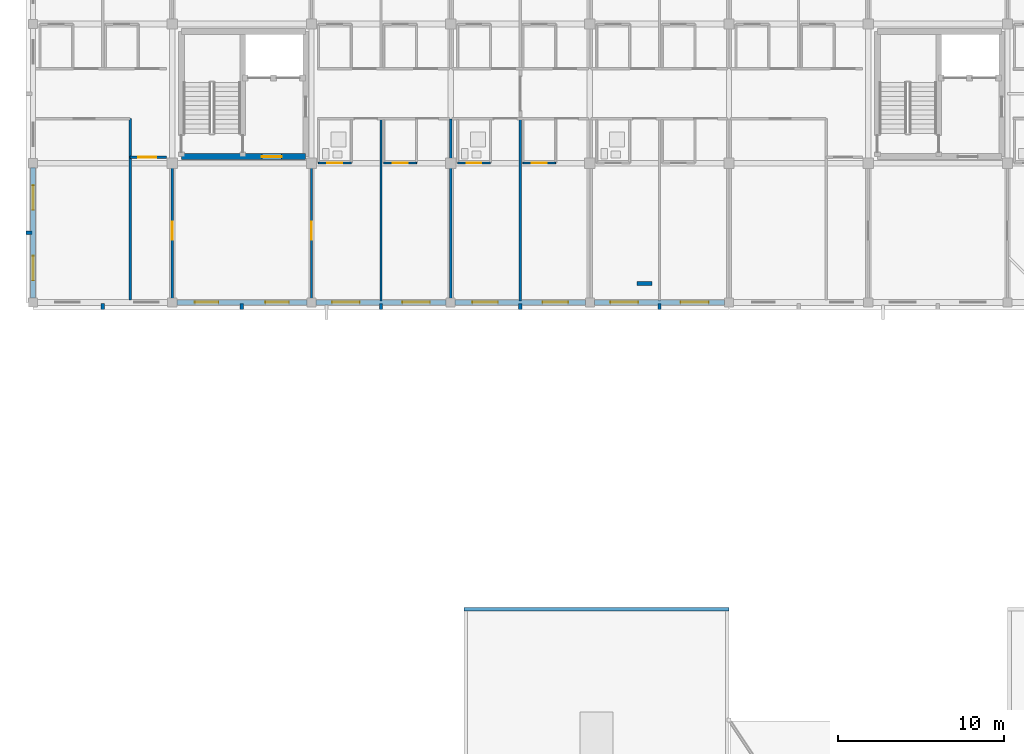
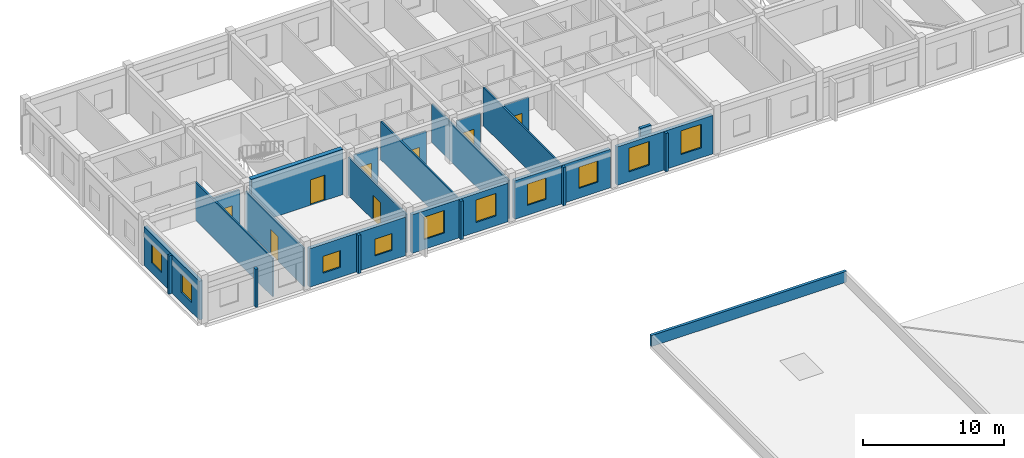
# One storey, part 6 of 21: 25 walls, 10 windows, 8 doors, 18 openings.
"""IFC4 building model written with IfcOpenShell, lengths in metres."""

from ifc_helpers import new_model, si_unit, direction, frame, frame_2d, origin, place, context, subcontext, project, spatial, rectangle, extrude, material, layer, layer_set, type_object, element, fill, save


model = new_model("IFC4")

# Units and contexts
model_context = context("Model", 3, precision=1e-05, world=origin(), true_north=direction((0.0, 1.0)))
body_context = subcontext(model_context, "Body", "Model", "MODEL_VIEW")
ifc_project = project(units=[si_unit("LENGTHUNIT", "METRE"), si_unit("AREAUNIT", "SQUARE_METRE"), si_unit("VOLUMEUNIT", "CUBIC_METRE"), si_unit("PLANEANGLEUNIT", "RADIAN"), si_unit("MASSUNIT", "GRAM", prefix="KILO")], contexts=[model_context])

# Site, building, storey
site_placement = place(None, origin())
site = spatial("IfcSite", under=ifc_project, at=site_placement, CompositionType="ELEMENT")
building_placement = place(site_placement, origin())
building = spatial("IfcBuilding", under=site, at=building_placement, Name="Trelvath General Hospital", CompositionType="ELEMENT")
storey_placement = place(building_placement, frame((0.0, 0.0, 28.800048828125)))
storey = spatial("IfcBuildingStorey", under=building, at=storey_placement, Name="L07", CompositionType="ELEMENT", Elevation=28.800048828125)

# Walls
ifc_material_1 = material(Name="Precast concrete C40/50", Category="concrete")
ifc_layer_1 = layer(ifc_material_1, 0.199951171875)
ifc_layer_set_1 = layer_set([ifc_layer_1], Name="Precast concrete C40/50")
wall_type_1 = type_object("IfcWallType", Name="BriseSoleilRib 200", PredefinedType="ELEMENTEDWALL", material=ifc_layer_set_1)
for number, where, z_axis, x_axis, name in (
    (1, (37.800048828125, 92.324951171875, 0.0), (0.0, 0.0, 1.0), (0.0, -1.0, 0.0), "Precast Concrete Brise-Soleil Rib Fin L07-459"),
    (2, (33.52490234375, 96.60009765625, 0.0), (0.0, 0.0, 1.0), (-1.0, 0.0, 0.0), "Precast Concrete Brise-Soleil Rib Fin L07-460"),
    (3, (46.199951171875, 92.324951171875, 0.0), (0.0, 0.0, 1.0), (0.0, -1.0, 0.0), "Precast Concrete Brise-Soleil Rib Fin L07-464"),
    (4, (54.60009765625, 92.324951171875, 0.0), (0.0, 0.0, 1.0), (0.0, -1.0, 0.0), "Precast Concrete Brise-Soleil Rib Fin L07-466"),
    (5, (63.0, 92.324951171875, 0.0), (0.0, 0.0, 1.0), (0.0, -1.0, 0.0), "Precast Concrete Brise-Soleil Rib Fin L07-468"),
    (6, (71.39990234375, 92.324951171875, 0.0), (0.0, 0.0, 1.0), (0.0, -1.0, 0.0), "Precast Concrete Brise-Soleil Rib Fin L07-470"),
):
    element("IfcWall", number, at=place(storey_placement, frame(where, z_axis=z_axis, x_axis=x_axis)), inside=storey, type_object=wall_type_1, Name=name, PredefinedType="ELEMENTEDWALL", context=body_context, shape_type="SweptSolid", body=[
        extrude(rectangle(XDim=0.33984375, YDim=0.199951171875, at=frame_2d((0.169921875, 0.0))), origin(), (0.0, 0.0, 1.0), 3.320068359375),
    ])

# Wall, opening, door
ifc_material_2 = material(Name="Gypsum acoustic steel-stud partition", Category="steel")
ifc_layer_2 = layer(ifc_material_2, 0.14990234375)
ifc_layer_set_2 = layer_set([ifc_layer_2], Name="Gypsum acoustic steel-stud partition")
wall_type_2 = type_object("IfcWallType", Name="ClinicalPartition 150", PredefinedType="PARTITIONING", material=ifc_layer_set_2)
wall_1_placement = place(storey_placement, frame((39.4599609375, 101.159912109375, 0.0), z_axis=(0.0, 0.0, 1.0), x_axis=(1.0, 0.0, 0.0)))
wall_1 = element("IfcWall", 7, at=wall_1_placement, inside=storey, type_object=wall_type_2, Name="Clean Utility Partition L07-2325", PredefinedType="PARTITIONING", context=body_context, shape_type="SweptSolid", body=[
    extrude(rectangle(XDim=2.179931640625, YDim=0.14990234375, at=frame_2d((1.08984375, 0.0))), origin(), (0.0, 0.0, 1.0), 3.320068359375),
])
opening_1_placement = place(wall_1_placement, frame((0.5, 0.0, 0.0)))
opening_1 = element("IfcOpeningElement", 8, at=opening_1_placement, cuts=wall_1, Name="Opening D-7-1456", PredefinedType="OPENING", context=body_context, shape_type="SweptSolid", body=[
    extrude(rectangle(XDim=1.080078125, YDim=2.14990234375, at=frame_2d((0.5400390625, 1.074951171875))), frame((0.0, 0.0849609375, 0.0), z_axis=(0.0, -1.0, 0.0), x_axis=(1.0, 0.0, 0.0)), (0.0, 0.0, 1.0), 0.169921875),
])
ifc_material_3 = material(Name="Acoustic hospital timber leaf", Category="wood")
door_type_1 = type_object("IfcDoorType", Name="Door CleanSupply 1080x2150", OperationType="NOTDEFINED", PredefinedType="DOOR", material=ifc_material_3)
door_1_placement = place(opening_1_placement, origin())
door_1 = element("IfcDoor", 9, at=door_1_placement, inside=storey, type_object=door_type_1, Name="Clean Utility Door L07-1456", OperationType="SINGLE_SWING_RIGHT", OverallHeight=2.14990234375, OverallWidth=1.080078125, PredefinedType="DOOR", context=body_context, shape_type="SweptSolid", body=[
    extrude(rectangle(XDim=1.080078125, YDim=2.14990234375, at=frame_2d((0.5400390625, 1.074951171875))), frame((0.0, 0.02490234375, 0.0), z_axis=(0.0, -1.0, 0.0), x_axis=(1.0, 0.0, 0.0)), (0.0, 0.0, 1.0), 0.050048828125),
])
fill(opening_1, door_1)

ifc_material_4 = material(Name="Concrete C40/50", Category="concrete")
ifc_layer_3 = layer(ifc_material_4, 0.35009765625)
ifc_layer_set_3 = layer_set([ifc_layer_3], Name="Concrete C40/50")
wall_type_3 = type_object("IfcWallType", Name="CoreShearWall 350", PredefinedType="SHEAR", material=ifc_layer_set_3)
wall_2_placement = place(storey_placement, frame((42.550048828125, 101.199951171875, 0.0), z_axis=(0.0, 0.0, 1.0), x_axis=(1.0, 0.0, 0.0)))
wall_2 = element("IfcWall", 10, at=wall_2_placement, inside=storey, type_object=wall_type_3, Name="Core Shear Wall C1 S L07", PredefinedType="SHEAR", context=body_context, shape_type="SweptSolid", body=[
    extrude(rectangle(XDim=7.5, YDim=0.35009765625, at=frame_2d((3.75, 0.0))), origin(), (0.0, 0.0, 1.0), 3.93994140625),
])
opening_2_placement = place(wall_2_placement, frame((4.85009765625, 0.0, 0.0)))
opening_2 = element("IfcOpeningElement", 11, at=opening_2_placement, cuts=wall_2, Name="Opening FD-LS17", PredefinedType="OPENING", context=body_context, shape_type="SweptSolid", body=[
    extrude(rectangle(XDim=1.199951171875, YDim=2.199951171875, at=frame_2d((0.60009765625, 1.10009765625))), frame((0.0, 0.18505859375, 0.0), z_axis=(0.0, -1.0, 0.0), x_axis=(1.0, 0.0, 0.0)), (0.0, 0.0, 1.0), 0.3701171875),
])
ifc_material_5 = material(Name="Fire-rated steel door", Category="steel")
door_type_2 = type_object("IfcDoorType", Name="Door FireLobby 1200x2200", OperationType="NOTDEFINED", PredefinedType="DOOR", material=ifc_material_5)
door_2_placement = place(opening_2_placement, origin())
door_2 = element("IfcDoor", 12, at=door_2_placement, inside=storey, type_object=door_type_2, Name="Fire Lobby South Door C1 L07", OperationType="SINGLE_SWING_RIGHT", OverallHeight=2.199951171875, OverallWidth=1.199951171875, PredefinedType="DOOR", context=body_context, shape_type="SweptSolid", body=[
    extrude(rectangle(XDim=1.199951171875, YDim=2.199951171875, at=frame_2d((0.60009765625, 1.10009765625))), frame((0.0, 0.02490234375, 0.0), z_axis=(0.0, -1.0, 0.0), x_axis=(1.0, 0.0, 0.0)), (0.0, 0.0, 1.0), 0.050048828125),
])
fill(opening_2, door_2)

ifc_material_6 = material(Name="Moisture-resistant tile partition")
ifc_layer_4 = layer(ifc_material_6, 0.110107421875)
ifc_layer_set_4 = layer_set([ifc_layer_4], Name="Moisture-resistant tile partition")
wall_type_4 = type_object("IfcWallType", Name="EnSuiteWetWall 110", PredefinedType="PARTITIONING", material=ifc_layer_set_4)
wall_3_placement = place(storey_placement, frame((50.820068359375, 100.820068359375, 0.0), z_axis=(0.0, 0.0, 1.0), x_axis=(1.0, 0.0, 0.0)))
wall_3 = element("IfcWall", 13, at=wall_3_placement, inside=storey, type_object=wall_type_4, Name="En-Suite Bathroom Partition L07-2342", PredefinedType="PARTITIONING", context=body_context, shape_type="SweptSolid", body=[
    extrude(rectangle(XDim=1.97998046875, YDim=0.110107421875, at=frame_2d((0.989990234375, 0.0))), origin(), (0.0, 0.0, 1.0), 3.320068359375),
])
opening_3_placement = place(wall_3_placement, frame((0.5400390625, 0.0, 0.0)))
opening_3 = element("IfcOpeningElement", 14, at=opening_3_placement, cuts=wall_3, Name="Opening D-7-1467", PredefinedType="OPENING", context=body_context, shape_type="SweptSolid", body=[
    extrude(rectangle(XDim=0.89990234375, YDim=2.10009765625, at=frame_2d((0.449951171875, 1.050048828125))), frame((0.0, 0.06494140625, 0.0), z_axis=(0.0, -1.0, 0.0), x_axis=(1.0, 0.0, 0.0)), (0.0, 0.0, 1.0), 0.130126953125),
])
ifc_material_7 = material(Name="Moisture-sealed timber leaf", Category="wood")
door_type_3 = type_object("IfcDoorType", Name="Door EnSuite 900x2100", OperationType="NOTDEFINED", PredefinedType="DOOR", material=ifc_material_7)
door_3_placement = place(opening_3_placement, origin())
door_3 = element("IfcDoor", 15, at=door_3_placement, inside=storey, type_object=door_type_3, Name="En-Suite Bathroom Door L07-1467", OperationType="SINGLE_SWING_RIGHT", OverallHeight=2.10009765625, OverallWidth=0.89990234375, PredefinedType="DOOR", context=body_context, shape_type="SweptSolid", body=[
    extrude(rectangle(XDim=0.89990234375, YDim=2.10009765625, at=frame_2d((0.449951171875, 1.050048828125))), frame((0.0, 0.02490234375, 0.0), z_axis=(0.0, -1.0, 0.0), x_axis=(1.0, 0.0, 0.0)), (0.0, 0.0, 1.0), 0.050048828125),
])
fill(opening_3, door_3)

wall_4_placement = place(storey_placement, frame((54.760009765625, 100.820068359375, 0.0), z_axis=(0.0, 0.0, 1.0), x_axis=(1.0, 0.0, 0.0)))
wall_4 = element("IfcWall", 16, at=wall_4_placement, inside=storey, type_object=wall_type_4, Name="En-Suite Bathroom Partition L07-2345", PredefinedType="PARTITIONING", context=body_context, shape_type="SweptSolid", body=[
    extrude(rectangle(XDim=1.97998046875, YDim=0.110107421875, at=frame_2d((0.989990234375, 0.0))), origin(), (0.0, 0.0, 1.0), 3.320068359375),
])
opening_4_placement = place(wall_4_placement, frame((0.5400390625, 0.0, 0.0)))
opening_4 = element("IfcOpeningElement", 17, at=opening_4_placement, cuts=wall_4, Name="Opening D-7-1468", PredefinedType="OPENING", context=body_context, shape_type="SweptSolid", body=[
    extrude(rectangle(XDim=0.89990234375, YDim=2.10009765625, at=frame_2d((0.449951171875, 1.050048828125))), frame((0.0, 0.06494140625, 0.0), z_axis=(0.0, -1.0, 0.0), x_axis=(1.0, 0.0, 0.0)), (0.0, 0.0, 1.0), 0.130126953125),
])
door_4_placement = place(opening_4_placement, origin())
door_4 = element("IfcDoor", 18, at=door_4_placement, inside=storey, type_object=door_type_3, Name="En-Suite Bathroom Door L07-1468", OperationType="SINGLE_SWING_LEFT", OverallHeight=2.10009765625, OverallWidth=0.89990234375, PredefinedType="DOOR", context=body_context, shape_type="SweptSolid", body=[
    extrude(rectangle(XDim=0.89990234375, YDim=2.10009765625, at=frame_2d((0.449951171875, 1.050048828125))), frame((0.0, 0.02490234375, 0.0), z_axis=(0.0, -1.0, 0.0), x_axis=(1.0, 0.0, 0.0)), (0.0, 0.0, 1.0), 0.050048828125),
])
fill(opening_4, door_4)

wall_5_placement = place(storey_placement, frame((59.219970703125, 100.820068359375, 0.0), z_axis=(0.0, 0.0, 1.0), x_axis=(1.0, 0.0, 0.0)))
wall_5 = element("IfcWall", 19, at=wall_5_placement, inside=storey, type_object=wall_type_4, Name="En-Suite Bathroom Partition L07-2360", PredefinedType="PARTITIONING", context=body_context, shape_type="SweptSolid", body=[
    extrude(rectangle(XDim=1.97998046875, YDim=0.110107421875, at=frame_2d((0.989990234375, 0.0))), origin(), (0.0, 0.0, 1.0), 3.320068359375),
])
opening_5_placement = place(wall_5_placement, frame((0.5400390625, 0.0, 0.0)))
opening_5 = element("IfcOpeningElement", 20, at=opening_5_placement, cuts=wall_5, Name="Opening D-7-1475", PredefinedType="OPENING", context=body_context, shape_type="SweptSolid", body=[
    extrude(rectangle(XDim=0.89990234375, YDim=2.10009765625, at=frame_2d((0.449951171875, 1.050048828125))), frame((0.0, 0.06494140625, 0.0), z_axis=(0.0, -1.0, 0.0), x_axis=(1.0, 0.0, 0.0)), (0.0, 0.0, 1.0), 0.130126953125),
])
door_5_placement = place(opening_5_placement, origin())
door_5 = element("IfcDoor", 21, at=door_5_placement, inside=storey, type_object=door_type_3, Name="En-Suite Bathroom Door L07-1475", OperationType="SINGLE_SWING_LEFT", OverallHeight=2.10009765625, OverallWidth=0.89990234375, PredefinedType="DOOR", context=body_context, shape_type="SweptSolid", body=[
    extrude(rectangle(XDim=0.89990234375, YDim=2.10009765625, at=frame_2d((0.449951171875, 1.050048828125))), frame((0.0, 0.02490234375, 0.0), z_axis=(0.0, -1.0, 0.0), x_axis=(1.0, 0.0, 0.0)), (0.0, 0.0, 1.0), 0.050048828125),
])
fill(opening_5, door_5)

wall_6_placement = place(storey_placement, frame((63.159912109375, 100.820068359375, 0.0), z_axis=(0.0, 0.0, 1.0), x_axis=(1.0, 0.0, 0.0)))
wall_6 = element("IfcWall", 22, at=wall_6_placement, inside=storey, type_object=wall_type_4, Name="En-Suite Bathroom Partition L07-2363", PredefinedType="PARTITIONING", context=body_context, shape_type="SweptSolid", body=[
    extrude(rectangle(XDim=1.97998046875, YDim=0.110107421875, at=frame_2d((0.989990234375, 0.0))), origin(), (0.0, 0.0, 1.0), 3.320068359375),
])
opening_6_placement = place(wall_6_placement, frame((0.5400390625, 0.0, 0.0)))
opening_6 = element("IfcOpeningElement", 23, at=opening_6_placement, cuts=wall_6, Name="Opening D-7-1476", PredefinedType="OPENING", context=body_context, shape_type="SweptSolid", body=[
    extrude(rectangle(XDim=0.89990234375, YDim=2.10009765625, at=frame_2d((0.449951171875, 1.050048828125))), frame((0.0, 0.06494140625, 0.0), z_axis=(0.0, -1.0, 0.0), x_axis=(1.0, 0.0, 0.0)), (0.0, 0.0, 1.0), 0.130126953125),
])
door_6_placement = place(opening_6_placement, origin())
door_6 = element("IfcDoor", 24, at=door_6_placement, inside=storey, type_object=door_type_3, Name="En-Suite Bathroom Door L07-1476", OperationType="SINGLE_SWING_RIGHT", OverallHeight=2.10009765625, OverallWidth=0.89990234375, PredefinedType="DOOR", context=body_context, shape_type="SweptSolid", body=[
    extrude(rectangle(XDim=0.89990234375, YDim=2.10009765625, at=frame_2d((0.449951171875, 1.050048828125))), frame((0.0, 0.02490234375, 0.0), z_axis=(0.0, -1.0, 0.0), x_axis=(1.0, 0.0, 0.0)), (0.0, 0.0, 1.0), 0.050048828125),
])
fill(opening_6, door_6)

# Wall, openings, windows
ifc_material_8 = material(Name="Concrete C35/45", Category="concrete")
ifc_layer_5 = layer(ifc_material_8, 0.2900390625)
ifc_layer_set_5 = layer_set([ifc_layer_5], Name="Concrete C35/45")
wall_type_5 = type_object("IfcWallType", Name="ExtBushHammeredWall 290", PredefinedType="SOLIDWALL", material=ifc_layer_set_5)
wall_7_placement = place(storey_placement, frame((33.60009765625, 92.669921875, 0.0), z_axis=(0.0, 0.0, 1.0), x_axis=(0.0, 1.0, 0.0)))
wall_7 = element("IfcWall", 25, at=wall_7_placement, inside=storey, type_object=wall_type_5, Name="Exterior Concrete Wall L07-609", PredefinedType="SOLIDWALL", context=body_context, shape_type="SweptSolid", body=[
    extrude(rectangle(XDim=7.860107421875, YDim=0.2900390625, at=frame_2d((3.93017578125, 0.0))), origin(), (0.0, 0.0, 1.0), 3.33984375),
])
opening_7_placement = place(wall_7_placement, frame((1.06787109375, 0.0, 0.85009765625)))
opening_7 = element("IfcOpeningElement", 26, at=opening_7_placement, cuts=wall_7, Name="Opening WN-7-1025", PredefinedType="OPENING", context=body_context, shape_type="SweptSolid", body=[
    extrude(rectangle(XDim=1.47998046875, YDim=1.60009765625, at=frame_2d((0.739990234375, 0.800048828125))), frame((0.0, 0.155029296875, 0.0), z_axis=(0.0, -1.0, 0.0), x_axis=(1.0, 0.0, 0.0)), (0.0, 0.0, 1.0), 0.31005859375),
])
opening_8_placement = place(wall_7_placement, frame((5.312255859375, 0.0, 0.85009765625)))
opening_8 = element("IfcOpeningElement", 27, at=opening_8_placement, cuts=wall_7, Name="Opening WN-7-1026", PredefinedType="OPENING", context=body_context, shape_type="SweptSolid", body=[
    extrude(rectangle(XDim=1.47998046875, YDim=1.60009765625, at=frame_2d((0.739990234375, 0.800048828125))), frame((0.0, 0.155029296875, 0.0), z_axis=(0.0, -1.0, 0.0), x_axis=(1.0, 0.0, 0.0)), (0.0, 0.0, 1.0), 0.31005859375),
])
ifc_material_9 = material(Name="Low-E laminated glass", Category="glass")
window_type_1 = type_object("IfcWindowType", Name="Window Clinic 1480x1600", PartitioningType="DOUBLE_PANEL_VERTICAL", PredefinedType="WINDOW", material=ifc_material_9)
window_1_placement = place(opening_7_placement, origin())
window_1 = element("IfcWindow", 28, at=window_1_placement, inside=storey, type_object=window_type_1, Name="Solar Reveal Window L07-1025", OverallHeight=1.60009765625, OverallWidth=1.47998046875, PartitioningType="SINGLE_PANEL", PredefinedType="WINDOW", context=body_context, shape_type="SweptSolid", body=[
    extrude(rectangle(XDim=1.47998046875, YDim=1.60009765625, at=frame_2d((0.739990234375, 0.800048828125))), frame((0.0, 0.030029296875, 0.0), z_axis=(0.0, -1.0, 0.0), x_axis=(1.0, 0.0, 0.0)), (0.0, 0.0, 1.0), 0.06005859375),
])
fill(opening_7, window_1)
window_2_placement = place(opening_8_placement, origin())
window_2 = element("IfcWindow", 29, at=window_2_placement, inside=storey, type_object=window_type_1, Name="Solar Reveal Window L07-1026", OverallHeight=1.60009765625, OverallWidth=1.47998046875, PartitioningType="SINGLE_PANEL", PredefinedType="WINDOW", context=body_context, shape_type="SweptSolid", body=[
    extrude(rectangle(XDim=1.47998046875, YDim=1.60009765625, at=frame_2d((0.739990234375, 0.800048828125))), frame((0.0, 0.030029296875, 0.0), z_axis=(0.0, -1.0, 0.0), x_axis=(1.0, 0.0, 0.0)), (0.0, 0.0, 1.0), 0.06005859375),
])
fill(opening_8, window_2)

wall_8_placement = place(storey_placement, frame((50.1298828125, 92.39990234375, 0.0), z_axis=(0.0, 0.0, 1.0), x_axis=(-1.0, 0.0, 0.0)))
wall_8 = element("IfcWall", 30, at=wall_8_placement, inside=storey, type_object=wall_type_5, Name="Exterior Concrete Wall L07-613", PredefinedType="SOLIDWALL", context=body_context, shape_type="SweptSolid", body=[
    extrude(rectangle(XDim=7.85986328125, YDim=0.2900390625, at=frame_2d((3.929931640625, 0.0))), origin(), (0.0, 0.0, 1.0), 3.33984375),
])
opening_9_placement = place(wall_8_placement, frame((1.097900390625, 0.0, 0.85009765625)))
opening_9 = element("IfcOpeningElement", 31, at=opening_9_placement, cuts=wall_8, Name="Opening WN-7-1033", PredefinedType="OPENING", context=body_context, shape_type="SweptSolid", body=[
    extrude(rectangle(XDim=1.419921875, YDim=1.449951171875, at=frame_2d((0.7099609375, 0.72509765625))), frame((0.0, 0.155029296875, 0.0), z_axis=(0.0, -1.0, 0.0), x_axis=(1.0, 0.0, 0.0)), (0.0, 0.0, 1.0), 0.31005859375),
])
opening_10_placement = place(wall_8_placement, frame((5.34228515625, 0.0, 0.85009765625)))
opening_10 = element("IfcOpeningElement", 32, at=opening_10_placement, cuts=wall_8, Name="Opening WN-7-1034", PredefinedType="OPENING", context=body_context, shape_type="SweptSolid", body=[
    extrude(rectangle(XDim=1.419921875, YDim=1.449951171875, at=frame_2d((0.7099609375, 0.72509765625))), frame((0.0, 0.155029296875, 0.0), z_axis=(0.0, -1.0, 0.0), x_axis=(1.0, 0.0, 0.0)), (0.0, 0.0, 1.0), 0.31005859375),
])
ifc_material_10 = material(Name="Low-E laminated glass", Category="glass")
window_type_2 = type_object("IfcWindowType", Name="Window Lab 1420x1450", PartitioningType="DOUBLE_PANEL_VERTICAL", PredefinedType="WINDOW", material=ifc_material_10)
window_3_placement = place(opening_9_placement, origin())
window_3 = element("IfcWindow", 33, at=window_3_placement, inside=storey, type_object=window_type_2, Name="Solar Reveal Window L07-1033", OverallHeight=1.449951171875, OverallWidth=1.419921875, PartitioningType="SINGLE_PANEL", PredefinedType="WINDOW", context=body_context, shape_type="SweptSolid", body=[
    extrude(rectangle(XDim=1.419921875, YDim=1.449951171875, at=frame_2d((0.7099609375, 0.72509765625))), frame((0.0, 0.030029296875, 0.0), z_axis=(0.0, -1.0, 0.0), x_axis=(1.0, 0.0, 0.0)), (0.0, 0.0, 1.0), 0.06005859375),
])
fill(opening_9, window_3)
window_4_placement = place(opening_10_placement, origin())
window_4 = element("IfcWindow", 34, at=window_4_placement, inside=storey, type_object=window_type_2, Name="Solar Reveal Window L07-1034", OverallHeight=1.449951171875, OverallWidth=1.419921875, PartitioningType="SINGLE_PANEL", PredefinedType="WINDOW", context=body_context, shape_type="SweptSolid", body=[
    extrude(rectangle(XDim=1.419921875, YDim=1.449951171875, at=frame_2d((0.7099609375, 0.72509765625))), frame((0.0, 0.030029296875, 0.0), z_axis=(0.0, -1.0, 0.0), x_axis=(1.0, 0.0, 0.0)), (0.0, 0.0, 1.0), 0.06005859375),
])
fill(opening_10, window_4)

wall_9_placement = place(storey_placement, frame((58.530029296875, 92.39990234375, 0.0), z_axis=(0.0, 0.0, 1.0), x_axis=(-1.0, 0.0, 0.0)))
wall_9 = element("IfcWall", 35, at=wall_9_placement, inside=storey, type_object=wall_type_5, Name="Exterior Concrete Wall L07-615", PredefinedType="SOLIDWALL", context=body_context, shape_type="SweptSolid", body=[
    extrude(rectangle(XDim=7.860107421875, YDim=0.2900390625, at=frame_2d((3.93017578125, 0.0))), origin(), (0.0, 0.0, 1.0), 3.33984375),
])
opening_11_placement = place(wall_9_placement, frame((0.977783203125, 0.0, 0.85009765625)))
opening_11 = element("IfcOpeningElement", 36, at=opening_11_placement, cuts=wall_9, Name="Opening WN-7-1037", PredefinedType="OPENING", context=body_context, shape_type="SweptSolid", body=[
    extrude(rectangle(XDim=1.659912109375, YDim=1.949951171875, at=frame_2d((0.830078125, 0.97509765625))), frame((0.0, 0.155029296875, 0.0), z_axis=(0.0, -1.0, 0.0), x_axis=(1.0, 0.0, 0.0)), (0.0, 0.0, 1.0), 0.31005859375),
])
opening_12_placement = place(wall_9_placement, frame((5.22216796875, 0.0, 0.85009765625)))
opening_12 = element("IfcOpeningElement", 37, at=opening_12_placement, cuts=wall_9, Name="Opening WN-7-1038", PredefinedType="OPENING", context=body_context, shape_type="SweptSolid", body=[
    extrude(rectangle(XDim=1.659912109375, YDim=1.949951171875, at=frame_2d((0.830078125, 0.97509765625))), frame((0.0, 0.155029296875, 0.0), z_axis=(0.0, -1.0, 0.0), x_axis=(1.0, 0.0, 0.0)), (0.0, 0.0, 1.0), 0.31005859375),
])
ifc_material_11 = material(Name="Low-E laminated glass", Category="glass")
window_type_3 = type_object("IfcWindowType", Name="Window Dayroom 1660x1950", PartitioningType="DOUBLE_PANEL_VERTICAL", PredefinedType="WINDOW", material=ifc_material_11)
window_5_placement = place(opening_11_placement, origin())
window_5 = element("IfcWindow", 38, at=window_5_placement, inside=storey, type_object=window_type_3, Name="Solar Reveal Window L07-1037", OverallHeight=1.949951171875, OverallWidth=1.659912109375, PartitioningType="SINGLE_PANEL", PredefinedType="WINDOW", context=body_context, shape_type="SweptSolid", body=[
    extrude(rectangle(XDim=1.659912109375, YDim=1.949951171875, at=frame_2d((0.830078125, 0.97509765625))), frame((0.0, 0.030029296875, 0.0), z_axis=(0.0, -1.0, 0.0), x_axis=(1.0, 0.0, 0.0)), (0.0, 0.0, 1.0), 0.06005859375),
])
fill(opening_11, window_5)
window_6_placement = place(opening_12_placement, origin())
window_6 = element("IfcWindow", 39, at=window_6_placement, inside=storey, type_object=window_type_3, Name="Solar Reveal Window L07-1038", OverallHeight=1.949951171875, OverallWidth=1.659912109375, PartitioningType="SINGLE_PANEL", PredefinedType="WINDOW", context=body_context, shape_type="SweptSolid", body=[
    extrude(rectangle(XDim=1.659912109375, YDim=1.949951171875, at=frame_2d((0.830078125, 0.97509765625))), frame((0.0, 0.030029296875, 0.0), z_axis=(0.0, -1.0, 0.0), x_axis=(1.0, 0.0, 0.0)), (0.0, 0.0, 1.0), 0.06005859375),
])
fill(opening_12, window_6)

wall_10_placement = place(storey_placement, frame((66.929931640625, 92.39990234375, 0.0), z_axis=(0.0, 0.0, 1.0), x_axis=(-1.0, 0.0, 0.0)))
wall_10 = element("IfcWall", 40, at=wall_10_placement, inside=storey, type_object=wall_type_5, Name="Exterior Concrete Wall L07-617", PredefinedType="SOLIDWALL", context=body_context, shape_type="SweptSolid", body=[
    extrude(rectangle(XDim=7.85986328125, YDim=0.2900390625, at=frame_2d((3.929931640625, 0.0))), origin(), (0.0, 0.0, 1.0), 3.33984375),
])
opening_13_placement = place(wall_10_placement, frame((1.037841796875, 0.0, 0.85009765625)))
opening_13 = element("IfcOpeningElement", 41, at=opening_13_placement, cuts=wall_10, Name="Opening WN-7-1041", PredefinedType="OPENING", context=body_context, shape_type="SweptSolid", body=[
    extrude(rectangle(XDim=1.5400390625, YDim=1.85009765625, at=frame_2d((0.77001953125, 0.925048828125))), frame((0.0, 0.155029296875, 0.0), z_axis=(0.0, -1.0, 0.0), x_axis=(1.0, 0.0, 0.0)), (0.0, 0.0, 1.0), 0.31005859375),
])
opening_14_placement = place(wall_10_placement, frame((5.2822265625, 0.0, 0.85009765625)))
opening_14 = element("IfcOpeningElement", 42, at=opening_14_placement, cuts=wall_10, Name="Opening WN-7-1042", PredefinedType="OPENING", context=body_context, shape_type="SweptSolid", body=[
    extrude(rectangle(XDim=1.5400390625, YDim=1.85009765625, at=frame_2d((0.77001953125, 0.925048828125))), frame((0.0, 0.155029296875, 0.0), z_axis=(0.0, -1.0, 0.0), x_axis=(1.0, 0.0, 0.0)), (0.0, 0.0, 1.0), 0.31005859375),
])
ifc_material_12 = material(Name="Low-E laminated glass", Category="glass")
window_type_4 = type_object("IfcWindowType", Name="Window Waiting 1540x1850", PartitioningType="DOUBLE_PANEL_VERTICAL", PredefinedType="WINDOW", material=ifc_material_12)
window_7_placement = place(opening_13_placement, origin())
window_7 = element("IfcWindow", 43, at=window_7_placement, inside=storey, type_object=window_type_4, Name="Solar Reveal Window L07-1041", OverallHeight=1.85009765625, OverallWidth=1.5400390625, PartitioningType="SINGLE_PANEL", PredefinedType="WINDOW", context=body_context, shape_type="SweptSolid", body=[
    extrude(rectangle(XDim=1.5400390625, YDim=1.85009765625, at=frame_2d((0.77001953125, 0.925048828125))), frame((0.0, 0.030029296875, 0.0), z_axis=(0.0, -1.0, 0.0), x_axis=(1.0, 0.0, 0.0)), (0.0, 0.0, 1.0), 0.06005859375),
])
fill(opening_13, window_7)
window_8_placement = place(opening_14_placement, origin())
window_8 = element("IfcWindow", 44, at=window_8_placement, inside=storey, type_object=window_type_4, Name="Solar Reveal Window L07-1042", OverallHeight=1.85009765625, OverallWidth=1.5400390625, PartitioningType="SINGLE_PANEL", PredefinedType="WINDOW", context=body_context, shape_type="SweptSolid", body=[
    extrude(rectangle(XDim=1.5400390625, YDim=1.85009765625, at=frame_2d((0.77001953125, 0.925048828125))), frame((0.0, 0.030029296875, 0.0), z_axis=(0.0, -1.0, 0.0), x_axis=(1.0, 0.0, 0.0)), (0.0, 0.0, 1.0), 0.06005859375),
])
fill(opening_14, window_8)

wall_11_placement = place(storey_placement, frame((75.330078125, 92.39990234375, 0.0), z_axis=(0.0, 0.0, 1.0), x_axis=(-1.0, 0.0, 0.0)))
wall_11 = element("IfcWall", 45, at=wall_11_placement, inside=storey, type_object=wall_type_5, Name="Exterior Concrete Wall L07-619", PredefinedType="SOLIDWALL", context=body_context, shape_type="SweptSolid", body=[
    extrude(rectangle(XDim=7.860107421875, YDim=0.2900390625, at=frame_2d((3.93017578125, 0.0))), origin(), (0.0, 0.0, 1.0), 3.33984375),
])
opening_15_placement = place(wall_11_placement, frame((0.9677734375, 0.0, 0.85009765625)))
opening_15 = element("IfcOpeningElement", 46, at=opening_15_placement, cuts=wall_11, Name="Opening WN-7-1045", PredefinedType="OPENING", context=body_context, shape_type="SweptSolid", body=[
    extrude(rectangle(XDim=1.679931640625, YDim=2.050048828125, at=frame_2d((0.83984375, 1.02490234375))), frame((0.0, 0.155029296875, 0.0), z_axis=(0.0, -1.0, 0.0), x_axis=(1.0, 0.0, 0.0)), (0.0, 0.0, 1.0), 0.31005859375),
])
opening_16_placement = place(wall_11_placement, frame((5.212158203125, 0.0, 0.85009765625)))
opening_16 = element("IfcOpeningElement", 47, at=opening_16_placement, cuts=wall_11, Name="Opening WN-7-1046", PredefinedType="OPENING", context=body_context, shape_type="SweptSolid", body=[
    extrude(rectangle(XDim=1.679931640625, YDim=2.050048828125, at=frame_2d((0.83984375, 1.02490234375))), frame((0.0, 0.155029296875, 0.0), z_axis=(0.0, -1.0, 0.0), x_axis=(1.0, 0.0, 0.0)), (0.0, 0.0, 1.0), 0.31005859375),
])
ifc_material_13 = material(Name="Low-E laminated glass", Category="glass")
window_type_5 = type_object("IfcWindowType", Name="Window Cafe 1680x2050", PartitioningType="DOUBLE_PANEL_VERTICAL", PredefinedType="WINDOW", material=ifc_material_13)
window_9_placement = place(opening_15_placement, origin())
window_9 = element("IfcWindow", 48, at=window_9_placement, inside=storey, type_object=window_type_5, Name="Solar Reveal Window L07-1045", OverallHeight=2.050048828125, OverallWidth=1.679931640625, PartitioningType="SINGLE_PANEL", PredefinedType="WINDOW", context=body_context, shape_type="SweptSolid", body=[
    extrude(rectangle(XDim=1.679931640625, YDim=2.050048828125, at=frame_2d((0.83984375, 1.02490234375))), frame((0.0, 0.030029296875, 0.0), z_axis=(0.0, -1.0, 0.0), x_axis=(1.0, 0.0, 0.0)), (0.0, 0.0, 1.0), 0.06005859375),
])
fill(opening_15, window_9)
window_10_placement = place(opening_16_placement, origin())
window_10 = element("IfcWindow", 49, at=window_10_placement, inside=storey, type_object=window_type_5, Name="Solar Reveal Window L07-1046", OverallHeight=2.050048828125, OverallWidth=1.679931640625, PartitioningType="SINGLE_PANEL", PredefinedType="WINDOW", context=body_context, shape_type="SweptSolid", body=[
    extrude(rectangle(XDim=1.679931640625, YDim=2.050048828125, at=frame_2d((0.83984375, 1.02490234375))), frame((0.0, 0.030029296875, 0.0), z_axis=(0.0, -1.0, 0.0), x_axis=(1.0, 0.0, 0.0)), (0.0, 0.0, 1.0), 0.06005859375),
])
fill(opening_16, window_10)

# Walls
ifc_material_14 = material(Name="Masonry service chase blockwork", Category="masonry")
ifc_layer_6 = layer(ifc_material_14, 0.239990234375)
ifc_layer_set_6 = layer_set([ifc_layer_6], Name="Masonry service chase blockwork")
wall_type_6 = type_object("IfcWallType", Name="PlumbingChaseWall 240", PredefinedType="PLUMBINGWALL", material=ifc_layer_set_6)
wall_12_placement = place(storey_placement, frame((70.050048828125, 93.550048828125, 0.0), z_axis=(0.0, 0.0, 1.0), x_axis=(1.0, 0.0, 0.0)))
element("IfcWall", 50, at=wall_12_placement, inside=storey, type_object=wall_type_6, Name="Medical Gas Plumbing Chase L07-2383", PredefinedType="PLUMBINGWALL", context=body_context, shape_type="SweptSolid", body=[
    extrude(rectangle(XDim=0.89990234375, YDim=0.239990234375, at=frame_2d((0.449951171875, 0.0))), origin(), (0.0, 0.0, 1.0), 3.320068359375),
])
ifc_material_15 = material(Name="Concrete C35/45", Category="concrete")
ifc_layer_7 = layer(ifc_material_15, 0.22998046875)
ifc_layer_set_7 = layer_set([ifc_layer_7], Name="Concrete C35/45")
wall_type_7 = type_object("IfcWallType", Name="RoofParapet 230", PredefinedType="PARAPET", material=ifc_layer_set_7)
wall_13_placement = place(storey_placement, frame((59.60009765625, 73.885009765625, 0.0), z_axis=(0.0, 0.0, 1.0), x_axis=(1.0, 0.0, 0.0)))
element("IfcWall", 51, at=wall_13_placement, inside=storey, type_object=wall_type_7, Name="Crown Roof Parapet 1-N", PredefinedType="PARAPET", context=body_context, shape_type="SweptSolid", body=[
    extrude(rectangle(XDim=16.0, YDim=0.22998046875, at=frame_2d((8.0, 0.0))), origin(), (0.0, 0.0, 1.0), 0.949951171875),
])
ifc_material_16 = material(Name="Gypsum acoustic steel-stud partition", Category="steel")
ifc_layer_8 = layer(ifc_material_16, 0.1298828125)
ifc_layer_set_8 = layer_set([ifc_layer_8], Name="Gypsum acoustic steel-stud partition")
wall_type_8 = type_object("IfcWallType", Name="WardPartition 130", PredefinedType="PARTITIONING", material=ifc_layer_set_8)
wall_14_placement = place(storey_placement, frame((39.4599609375, 92.56005859375, 0.0), z_axis=(0.0, 0.0, 1.0), x_axis=(0.0, 1.0, 0.0)))
element("IfcWall", 52, at=wall_14_placement, inside=storey, type_object=wall_type_8, Name="Nurse Alcove Partition L07-2324", PredefinedType="PARTITIONING", context=body_context, shape_type="SweptSolid", body=[
    extrude(rectangle(XDim=10.93994140625, YDim=0.1298828125, at=frame_2d((5.469970703125, 0.0))), origin(), (0.0, 0.0, 1.0), 3.320068359375),
])

# Wall, opening, door
wall_15_placement = place(storey_placement, frame((42.0, 92.5400390625, 0.0), z_axis=(0.0, 0.0, 1.0), x_axis=(0.0, 1.0, 0.0)))
wall_15 = element("IfcWall", 53, at=wall_15_placement, inside=storey, type_object=wall_type_8, Name="Inter-Bay Ward Partition S L07-2334", PredefinedType="PARTITIONING", context=body_context, shape_type="SweptSolid", body=[
    extrude(rectangle(XDim=8.2099609375, YDim=0.1298828125, at=frame_2d((4.10498046875, 0.0))), origin(), (0.0, 0.0, 1.0), 3.320068359375),
])
opening_17_placement = place(wall_15_placement, frame((3.639892578125, 0.0, 0.0)))
opening_17 = element("IfcOpeningElement", 54, at=opening_17_placement, cuts=wall_15, Name="Opening D-7-1461", PredefinedType="OPENING", context=body_context, shape_type="SweptSolid", body=[
    extrude(rectangle(XDim=1.080078125, YDim=2.14990234375, at=frame_2d((0.5400390625, 1.074951171875))), frame((0.0, 0.074951171875, 0.0), z_axis=(0.0, -1.0, 0.0), x_axis=(1.0, 0.0, 0.0)), (0.0, 0.0, 1.0), 0.14990234375),
])
door_7_placement = place(opening_17_placement, origin())
door_7 = element("IfcDoor", 55, at=door_7_placement, inside=storey, type_object=door_type_1, Name="Clean Supply Connecting Door L07-1461", OperationType="SINGLE_SWING_RIGHT", OverallHeight=2.14990234375, OverallWidth=1.080078125, PredefinedType="DOOR", context=body_context, shape_type="SweptSolid", body=[
    extrude(rectangle(XDim=1.080078125, YDim=2.14990234375, at=frame_2d((0.5400390625, 1.074951171875))), frame((0.0, 0.02490234375, 0.0), z_axis=(0.0, -1.0, 0.0), x_axis=(1.0, 0.0, 0.0)), (0.0, 0.0, 1.0), 0.050048828125),
])
fill(opening_17, door_7)

wall_16_placement = place(storey_placement, frame((50.39990234375, 92.5400390625, 0.0), z_axis=(0.0, 0.0, 1.0), x_axis=(0.0, 1.0, 0.0)))
wall_16 = element("IfcWall", 56, at=wall_16_placement, inside=storey, type_object=wall_type_8, Name="Inter-Bay Ward Partition S L07-2336", PredefinedType="PARTITIONING", context=body_context, shape_type="SweptSolid", body=[
    extrude(rectangle(XDim=8.2099609375, YDim=0.1298828125, at=frame_2d((4.10498046875, 0.0))), origin(), (0.0, 0.0, 1.0), 3.320068359375),
])
opening_18_placement = place(wall_16_placement, frame((3.639892578125, 0.0, 0.0)))
opening_18 = element("IfcOpeningElement", 57, at=opening_18_placement, cuts=wall_16, Name="Opening D-7-1463", PredefinedType="OPENING", context=body_context, shape_type="SweptSolid", body=[
    extrude(rectangle(XDim=1.080078125, YDim=2.14990234375, at=frame_2d((0.5400390625, 1.074951171875))), frame((0.0, 0.074951171875, 0.0), z_axis=(0.0, -1.0, 0.0), x_axis=(1.0, 0.0, 0.0)), (0.0, 0.0, 1.0), 0.14990234375),
])
door_8_placement = place(opening_18_placement, origin())
door_8 = element("IfcDoor", 58, at=door_8_placement, inside=storey, type_object=door_type_1, Name="Clean Supply Connecting Door L07-1463", OperationType="SINGLE_SWING_RIGHT", OverallHeight=2.14990234375, OverallWidth=1.080078125, PredefinedType="DOOR", context=body_context, shape_type="SweptSolid", body=[
    extrude(rectangle(XDim=1.080078125, YDim=2.14990234375, at=frame_2d((0.5400390625, 1.074951171875))), frame((0.0, 0.02490234375, 0.0), z_axis=(0.0, -1.0, 0.0), x_axis=(1.0, 0.0, 0.0)), (0.0, 0.0, 1.0), 0.050048828125),
])
fill(opening_18, door_8)

# Walls
wall_17_placement = place(storey_placement, frame((54.60009765625, 92.5, 0.0), z_axis=(0.0, 0.0, 1.0), x_axis=(0.0, 1.0, 0.0)))
element("IfcWall", 59, at=wall_17_placement, inside=storey, type_object=wall_type_8, Name="Room Dividing Partition S L07-2339", PredefinedType="PARTITIONING", context=body_context, shape_type="SweptSolid", body=[
    extrude(rectangle(XDim=10.929931640625, YDim=0.1298828125, at=frame_2d((5.46484375, 0.0))), origin(), (0.0, 0.0, 1.0), 3.320068359375),
])
wall_18_placement = place(storey_placement, frame((58.800048828125, 92.5400390625, 0.0), z_axis=(0.0, 0.0, 1.0), x_axis=(0.0, 1.0, 0.0)))
element("IfcWall", 60, at=wall_18_placement, inside=storey, type_object=wall_type_8, Name="Inter-Bay Ward Partition S L07-2354", PredefinedType="PARTITIONING", context=body_context, shape_type="SweptSolid", body=[
    extrude(rectangle(XDim=10.93994140625, YDim=0.1298828125, at=frame_2d((5.469970703125, 0.0))), origin(), (0.0, 0.0, 1.0), 3.320068359375),
])
wall_19_placement = place(storey_placement, frame((63.0, 92.5, 0.0), z_axis=(0.0, 0.0, 1.0), x_axis=(0.0, 1.0, 0.0)))
element("IfcWall", 61, at=wall_19_placement, inside=storey, type_object=wall_type_8, Name="Room Dividing Partition S L07-2357", PredefinedType="PARTITIONING", context=body_context, shape_type="SweptSolid", body=[
    extrude(rectangle(XDim=10.929931640625, YDim=0.1298828125, at=frame_2d((5.46484375, 0.0))), origin(), (0.0, 0.0, 1.0), 3.320068359375),
])

save(model, "model.ifc")
